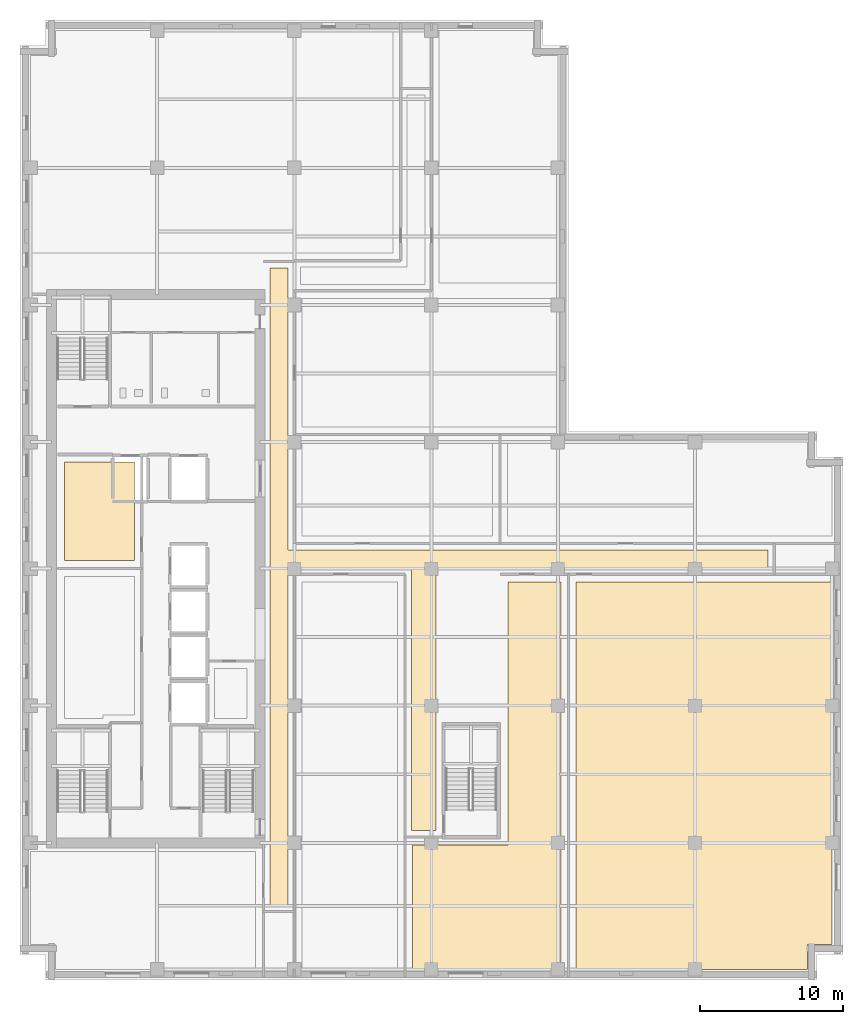
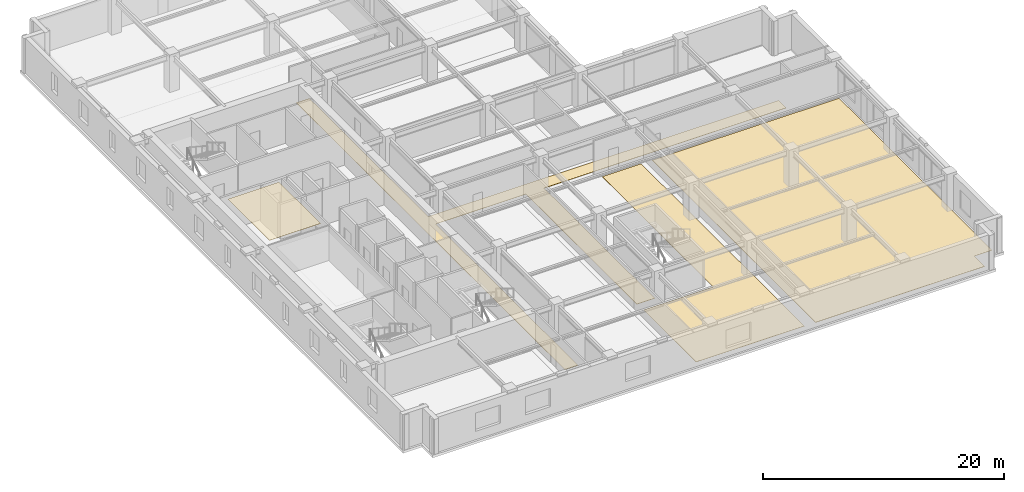
# One storey, part 9 of 12: 4 coverings.
"""IFC4 building model written with IfcOpenShell, lengths in metres."""

from ifc_helpers import new_model, si_unit, direction, frame, origin, place, context, subcontext, project, spatial, polyline, outline, extrude, material, layer, layer_set, type_object, element, save


model = new_model("IFC4")

# Units and contexts
model_context = context("Model", 3, precision=1e-05, world=origin(), true_north=direction((0.0, 1.0)))
body_context = subcontext(model_context, "Body", "Model", "MODEL_VIEW")
ifc_project = project(units=[si_unit("LENGTHUNIT", "METRE"), si_unit("AREAUNIT", "SQUARE_METRE"), si_unit("VOLUMEUNIT", "CUBIC_METRE"), si_unit("PLANEANGLEUNIT", "RADIAN"), si_unit("MASSUNIT", "GRAM", prefix="KILO")], contexts=[model_context])

# Site, building, storey
site_placement = place(None, origin())
site = spatial("IfcSite", under=ifc_project, at=site_placement, CompositionType="ELEMENT")
building_placement = place(site_placement, origin())
building = spatial("IfcBuilding", under=site, at=building_placement, Name="Norrvale University Quadrangle", CompositionType="ELEMENT")
storey_placement = place(building_placement, frame((0.0, 0.0, 186.39990234375)))
storey = spatial("IfcBuildingStorey", under=building, at=storey_placement, Name="L47", CompositionType="ELEMENT", Elevation=186.39990234375)

# Coverings
ifc_material_1 = material(Name="Perforated Acoustic Mineral Ceiling")
ifc_layer_1 = layer(ifc_material_1, 0.02490234375, Name="Perforated Acoustic Mineral Ceiling")
ifc_layer_set_1 = layer_set([ifc_layer_1], Name="Perforated Acoustic Mineral Ceiling")
covering_type_1 = type_object("IfcCoveringType", Name="Covering Acoustic Ceiling 25", PredefinedType="CEILING", material=ifc_layer_set_1)
covering_1_placement = place(storey_placement, frame((0.0, 0.0, 3.51513671875)))
element("IfcCovering", 1, at=covering_1_placement, inside=storey, type_object=covering_type_1, Name="Acoustic Ceiling RM-L47-REC3", PredefinedType="CEILING", context=body_context, shape_type="SweptSolid", body=[
    extrude(outline(polyline([(3.10009765625, 29.35009765625), (3.10009765625, 36.25), (8.0, 36.25), (8.0, 29.35009765625), (3.10009765625, 29.35009765625)])), origin(), (0.0, 0.0, 1.0), 0.02490234375),
])
ifc_material_2 = material(Name="Polished Terrazzo Flooring")
ifc_layer_2 = layer(ifc_material_2, 0.02490234375, Name="Polished Terrazzo Flooring")
ifc_layer_set_2 = layer_set([ifc_layer_2], Name="Polished Terrazzo Flooring")
covering_type_2 = type_object("IfcCoveringType", Name="Covering Terrazzo Floor 30", PredefinedType="FLOORING", material=ifc_layer_set_2)
covering_2_placement = place(storey_placement, origin())
element("IfcCovering", 2, at=covering_2_placement, inside=storey, type_object=covering_type_2, Name="Terrazzo Flooring RM-L47-CORR1", PredefinedType="FLOORING", context=body_context, shape_type="SweptSolid", body=[
    extrude(outline(polyline([(17.5, 5.25), (17.5, 49.85009765625), (18.75, 49.85009765625), (18.75, 30.10009765625), (52.35009765625, 30.10009765625), (52.35009765625, 28.85009765625), (29.1298828125, 28.85009765625), (29.1298828125, 10.449951171875), (27.39990234375, 10.449951171875), (27.39990234375, 28.85009765625), (18.75, 28.85009765625), (18.75, 5.25), (17.5, 5.25)])), origin(), (0.0, 0.0, 1.0), 0.025146484375),
])
covering_3_placement = place(storey_placement, origin())
element("IfcCovering", 3, at=covering_3_placement, inside=storey, type_object=covering_type_2, Name="Terrazzo Flooring RM-L47-SE2", PredefinedType="FLOORING", context=body_context, shape_type="SweptSolid", body=[
    extrude(outline(polyline([(27.47998046875, 9.449951171875), (34.14990234375, 9.449951171875), (34.14990234375, 27.8701171875), (37.8701171875, 27.8701171875), (37.8701171875, 0.75), (27.47998046875, 0.75), (27.47998046875, 9.449951171875)])), origin(), (0.0, 0.0, 1.0), 0.025146484375),
])
covering_4_placement = place(storey_placement, origin())
element("IfcCovering", 4, at=covering_4_placement, inside=storey, type_object=covering_type_2, Name="Terrazzo Flooring RM-L47-SE3", PredefinedType="FLOORING", context=body_context, shape_type="SweptSolid", body=[
    extrude(outline(polyline([(38.929931640625, 0.75), (38.929931640625, 27.8701171875), (56.85009765625, 27.8701171875), (56.85009765625, 2.469970703125), (55.1298828125, 2.469970703125), (55.1298828125, 0.75), (38.929931640625, 0.75)])), origin(), (0.0, 0.0, 1.0), 0.025146484375),
])

save(model, "model.ifc")
